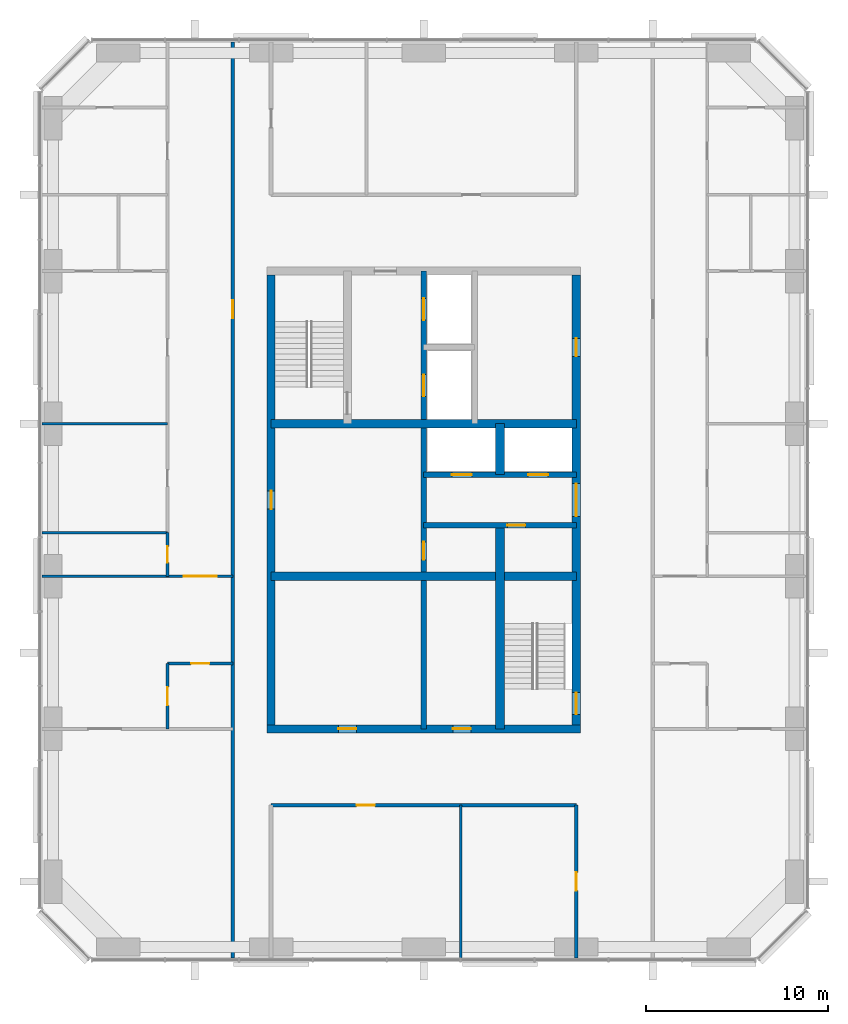
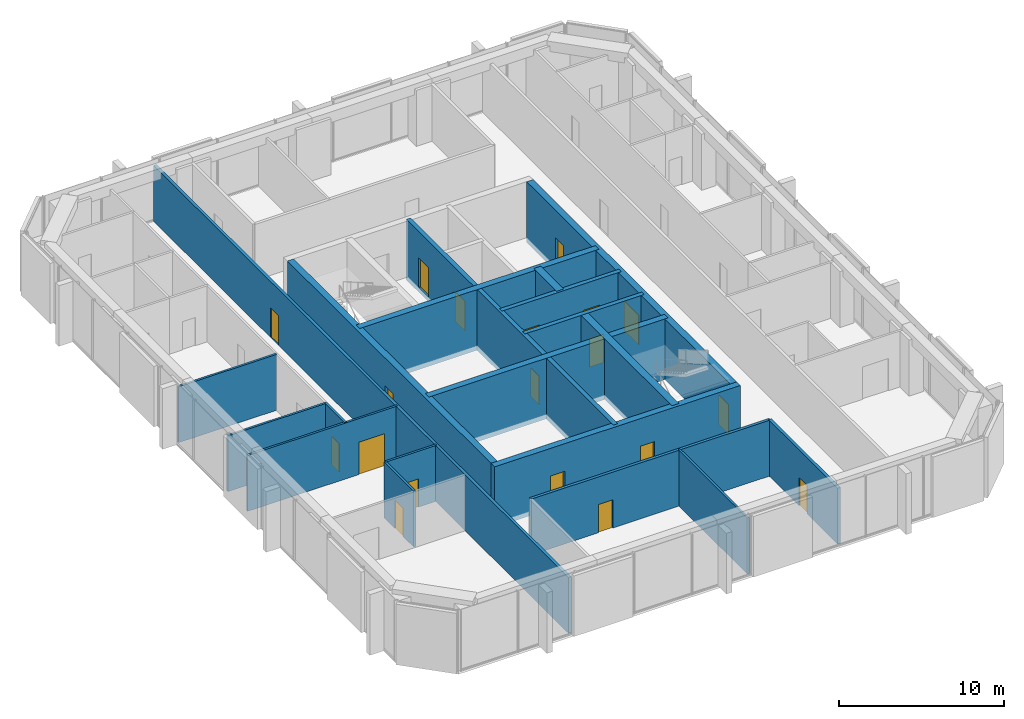
# One storey, part 7 of 10: 20 walls, 19 doors, 19 openings.
"""IFC4 building model written with IfcOpenShell, lengths in metres."""

from ifc_helpers import new_model, si_unit, direction, frame, frame_2d, origin, place, context, subcontext, project, spatial, rectangle, extrude, material, layer, layer_set, type_object, element, fill, save


model = new_model("IFC4")

# Units and contexts
model_context = context("Model", 3, precision=1e-05, world=origin(), true_north=direction((0.0, 1.0)))
body_context = subcontext(model_context, "Body", "Model", "MODEL_VIEW")
ifc_project = project(units=[si_unit("LENGTHUNIT", "METRE"), si_unit("AREAUNIT", "SQUARE_METRE"), si_unit("VOLUMEUNIT", "CUBIC_METRE"), si_unit("PLANEANGLEUNIT", "RADIAN"), si_unit("MASSUNIT", "GRAM", prefix="KILO")], contexts=[model_context])

# Site, building, storey
site_placement = place(None, origin())
site = spatial("IfcSite", under=ifc_project, at=site_placement, CompositionType="ELEMENT")
building_placement = place(site_placement, origin())
building = spatial("IfcBuilding", under=site, at=building_placement, Name="Dunama Terrace Hotel", CompositionType="ELEMENT")
storey_placement = place(building_placement, frame((0.0, 0.0, 289.10009765625)))
storey = spatial("IfcBuildingStorey", under=building, at=storey_placement, Name="L74", CompositionType="ELEMENT", Elevation=289.10009765625)

# Wall, opening, door
ifc_material_1 = material(Name="Gypsum board partition", Category="masonry")
ifc_layer_1 = layer(ifc_material_1, 0.14990234375)
ifc_layer_set_1 = layer_set([ifc_layer_1], Name="Bathroom partition 150")
wall_type_1 = type_object("IfcWallType", Name="Bathroom partition 150", PredefinedType="PARTITIONING", material=ifc_layer_set_1)
wall_1_placement = place(storey_placement, frame((19.5, 25.199951171875, 0.0), z_axis=(0.0, 0.0, 1.0), x_axis=(0.0, 1.0, 0.0)))
wall_1 = element("IfcWall", 1, at=wall_1_placement, inside=storey, type_object=wall_type_1, Name="Bathroom partition 150 L74", PredefinedType="PARTITIONING", context=body_context, shape_type="SweptSolid", body=[
    extrude(rectangle(XDim=2.400146484375, YDim=0.14990234375, at=frame_2d((1.2001953125, 0.0))), origin(), (0.0, 0.0, 1.0), 4.14990234375),
])
opening_1_placement = place(wall_1_placement, frame((0.75, 0.0, 0.0)))
opening_1 = element("IfcOpeningElement", 2, at=opening_1_placement, cuts=wall_1, Name="Opening L74-020", PredefinedType="OPENING", context=body_context, shape_type="SweptSolid", body=[
    extrude(rectangle(XDim=0.89990234375, YDim=2.10009765625, at=frame_2d((0.449951171875, 1.050048828125))), frame((0.0, 0.0849609375, 0.0), z_axis=(0.0, -1.0, 0.0), x_axis=(1.0, 0.0, 0.0)), (0.0, 0.0, 1.0), 0.169921875),
])
ifc_material_2 = material(Name="Timber door with steel frame", Category="steel")
door_type_1 = type_object("IfcDoorType", Name="WC door 900", OperationType="SINGLE_SWING_LEFT", PredefinedType="DOOR", material=ifc_material_2)
door_1_placement = place(opening_1_placement, origin())
door_1 = element("IfcDoor", 3, at=door_1_placement, inside=storey, type_object=door_type_1, Name="Door to royal suite powder room L74-020, type D6", OperationType="SINGLE_SWING_LEFT", OverallHeight=2.10009765625, OverallWidth=0.89990234375, PredefinedType="DOOR", context=body_context, shape_type="SweptSolid", body=[
    extrude(rectangle(XDim=0.89990234375, YDim=2.10009765625, at=frame_2d((0.449951171875, 1.050048828125))), frame((0.0, 0.02490234375, 0.0), z_axis=(0.0, -1.0, 0.0), x_axis=(1.0, 0.0, 0.0)), (0.0, 0.0, 1.0), 0.050048828125),
])
fill(opening_1, door_1)

# Wall, openings, doors
ifc_material_3 = material(Name="Concrete C50/60", Category="concrete")
ifc_layer_2 = layer(ifc_material_3, 0.300048828125)
ifc_layer_set_2 = layer_set([ifc_layer_2], Name="Core inner wall 300")
wall_type_2 = type_object("IfcWallType", Name="Core inner wall 300", PredefinedType="SHEAR", material=ifc_layer_set_2)
wall_2_placement = place(storey_placement, frame((33.60009765625, 16.800048828125, -0.35009765625), z_axis=(0.0, 0.0, 1.0), x_axis=(0.0, 1.0, 0.0)))
wall_2 = element("IfcWall", 4, at=wall_2_placement, inside=storey, type_object=wall_type_2, Name="Core inner wall 300 L74", PredefinedType="SHEAR", context=body_context, shape_type="SweptSolid", body=[
    extrude(rectangle(XDim=25.199951171875, YDim=0.300048828125, at=frame_2d((12.60009765625, 0.0))), origin(), (0.0, 0.0, 1.0), 4.5),
])
opening_2_placement = place(wall_2_placement, frame((22.5, 0.0, 0.35009765625)))
opening_2 = element("IfcOpeningElement", 5, at=opening_2_placement, cuts=wall_2, Name="Opening L74-005", PredefinedType="OPENING", context=body_context, shape_type="SweptSolid", body=[
    extrude(rectangle(XDim=1.199951171875, YDim=2.199951171875, at=frame_2d((0.60009765625, 1.10009765625))), frame((0.0, 0.159912109375, 0.0), z_axis=(0.0, -1.0, 0.0), x_axis=(1.0, 0.0, 0.0)), (0.0, 0.0, 1.0), 0.320068359375),
])
opening_3_placement = place(wall_2_placement, frame((18.300048828125, 0.0, 0.35009765625)))
opening_3 = element("IfcOpeningElement", 6, at=opening_3_placement, cuts=wall_2, Name="Opening L74-006", PredefinedType="OPENING", context=body_context, shape_type="SweptSolid", body=[
    extrude(rectangle(XDim=1.199951171875, YDim=2.199951171875, at=frame_2d((0.60009765625, 1.10009765625))), frame((0.0, 0.159912109375, 0.0), z_axis=(0.0, -1.0, 0.0), x_axis=(1.0, 0.0, 0.0)), (0.0, 0.0, 1.0), 0.320068359375),
])
opening_4_placement = place(wall_2_placement, frame((9.300048828125, 0.0, 0.35009765625)))
opening_4 = element("IfcOpeningElement", 7, at=opening_4_placement, cuts=wall_2, Name="Opening L74-008", PredefinedType="OPENING", context=body_context, shape_type="SweptSolid", body=[
    extrude(rectangle(XDim=1.0, YDim=2.10009765625, at=frame_2d((0.5, 1.050048828125))), frame((0.0, 0.159912109375, 0.0), z_axis=(0.0, -1.0, 0.0), x_axis=(1.0, 0.0, 0.0)), (0.0, 0.0, 1.0), 0.320068359375),
])
ifc_material_4 = material(Name="Stainless steel lift door", Category="steel")
door_type_2 = type_object("IfcDoorType", Name="Firefighting lift landing door 1200", OperationType="DOUBLE_DOOR_SLIDING", PredefinedType="DOOR", material=ifc_material_4)
door_2_placement = place(opening_2_placement, origin())
door_2 = element("IfcDoor", 8, at=door_2_placement, inside=storey, type_object=door_type_2, Name="Landing door FL1 L74-005, type LD2", OperationType="DOUBLE_DOOR_SLIDING", OverallHeight=2.199951171875, OverallWidth=1.199951171875, PredefinedType="DOOR", context=body_context, shape_type="SweptSolid", body=[
    extrude(rectangle(XDim=1.199951171875, YDim=2.199951171875, at=frame_2d((0.60009765625, 1.10009765625))), frame((0.0, 0.02490234375, 0.0), z_axis=(0.0, -1.0, 0.0), x_axis=(1.0, 0.0, 0.0)), (0.0, 0.0, 1.0), 0.050048828125),
])
fill(opening_2, door_2)
door_3_placement = place(opening_3_placement, origin())
door_3 = element("IfcDoor", 9, at=door_3_placement, inside=storey, type_object=door_type_2, Name="Landing door FL2 L74-006, type LD2", OperationType="DOUBLE_DOOR_SLIDING", OverallHeight=2.199951171875, OverallWidth=1.199951171875, PredefinedType="DOOR", context=body_context, shape_type="SweptSolid", body=[
    extrude(rectangle(XDim=1.199951171875, YDim=2.199951171875, at=frame_2d((0.60009765625, 1.10009765625))), frame((0.0, 0.02490234375, 0.0), z_axis=(0.0, -1.0, 0.0), x_axis=(1.0, 0.0, 0.0)), (0.0, 0.0, 1.0), 0.050048828125),
])
fill(opening_3, door_3)
ifc_material_5 = material(Name="Timber door with steel frame", Category="steel")
door_type_3 = type_object("IfcDoorType", Name="Service door 1000", OperationType="SINGLE_SWING_LEFT", PredefinedType="DOOR", material=ifc_material_5)
door_4_placement = place(opening_4_placement, frame((1.0, 0.0, 0.0), z_axis=(0.0, 0.0, 1.0), x_axis=(-1.0, 0.0, 0.0)))
door_4 = element("IfcDoor", 10, at=door_4_placement, inside=storey, type_object=door_type_3, Name="Door to service riser L74-008, type D7", OperationType="SINGLE_SWING_RIGHT", OverallHeight=2.10009765625, OverallWidth=1.0, PredefinedType="DOOR", context=body_context, shape_type="SweptSolid", body=[
    extrude(rectangle(XDim=1.0, YDim=2.10009765625, at=frame_2d((0.5, 1.050048828125))), frame((0.0, 0.025146484375, 0.0), z_axis=(0.0, -1.0, 0.0), x_axis=(1.0, 0.0, 0.0)), (0.0, 0.0, 1.0), 0.050048828125),
])
fill(opening_4, door_4)

# Wall, opening, door
wall_3_placement = place(storey_placement, frame((33.60009765625, 28.0, -0.35009765625), z_axis=(0.0, 0.0, 1.0), x_axis=(1.0, 0.0, 0.0)))
wall_3 = element("IfcWall", 11, at=wall_3_placement, inside=storey, type_object=wall_type_2, Name="Core inner wall 300 L74", PredefinedType="SHEAR", context=body_context, shape_type="SweptSolid", body=[
    extrude(rectangle(XDim=8.39990234375, YDim=0.300048828125, at=frame_2d((4.199951171875, 0.0))), origin(), (0.0, 0.0, 1.0), 4.5),
])
opening_5_placement = place(wall_3_placement, frame((4.60009765625, 0.0, 0.35009765625)))
opening_5 = element("IfcOpeningElement", 12, at=opening_5_placement, cuts=wall_3, Name="Opening L74-009", PredefinedType="OPENING", context=body_context, shape_type="SweptSolid", body=[
    extrude(rectangle(XDim=1.0, YDim=2.10009765625, at=frame_2d((0.5, 1.050048828125))), frame((0.0, 0.159912109375, 0.0), z_axis=(0.0, -1.0, 0.0), x_axis=(1.0, 0.0, 0.0)), (0.0, 0.0, 1.0), 0.320068359375),
])
door_5_placement = place(opening_5_placement, frame((1.0, 0.0, 0.0), z_axis=(0.0, 0.0, 1.0), x_axis=(-1.0, 0.0, 0.0)))
door_5 = element("IfcDoor", 13, at=door_5_placement, inside=storey, type_object=door_type_3, Name="Door to guest cloakroom L74-009, type D7", OperationType="SINGLE_SWING_RIGHT", OverallHeight=2.10009765625, OverallWidth=1.0, PredefinedType="DOOR", context=body_context, shape_type="SweptSolid", body=[
    extrude(rectangle(XDim=1.0, YDim=2.10009765625, at=frame_2d((0.5, 1.050048828125))), frame((0.0, 0.025146484375, 0.0), z_axis=(0.0, -1.0, 0.0), x_axis=(1.0, 0.0, 0.0)), (0.0, 0.0, 1.0), 0.050048828125),
])
fill(opening_5, door_5)

# Wall, openings, doors
wall_4_placement = place(storey_placement, frame((33.60009765625, 30.800048828125, -0.35009765625), z_axis=(0.0, 0.0, 1.0), x_axis=(1.0, 0.0, 0.0)))
wall_4 = element("IfcWall", 14, at=wall_4_placement, inside=storey, type_object=wall_type_2, Name="Core inner wall 300 L74", PredefinedType="SHEAR", context=body_context, shape_type="SweptSolid", body=[
    extrude(rectangle(XDim=8.39990234375, YDim=0.300048828125, at=frame_2d((4.199951171875, 0.0))), origin(), (0.0, 0.0, 1.0), 4.5),
])
opening_6_placement = place(wall_4_placement, frame((1.550048828125, 0.0, 0.35009765625)))
opening_6 = element("IfcOpeningElement", 15, at=opening_6_placement, cuts=wall_4, Name="Opening L74-003", PredefinedType="OPENING", context=body_context, shape_type="SweptSolid", body=[
    extrude(rectangle(XDim=1.10009765625, YDim=2.199951171875, at=frame_2d((0.550048828125, 1.10009765625))), frame((0.0, 0.159912109375, 0.0), z_axis=(0.0, -1.0, 0.0), x_axis=(1.0, 0.0, 0.0)), (0.0, 0.0, 1.0), 0.320068359375),
])
opening_7_placement = place(wall_4_placement, frame((5.75, 0.0, 0.35009765625)))
opening_7 = element("IfcOpeningElement", 16, at=opening_7_placement, cuts=wall_4, Name="Opening L74-004", PredefinedType="OPENING", context=body_context, shape_type="SweptSolid", body=[
    extrude(rectangle(XDim=1.10009765625, YDim=2.199951171875, at=frame_2d((0.550048828125, 1.10009765625))), frame((0.0, 0.159912109375, 0.0), z_axis=(0.0, -1.0, 0.0), x_axis=(1.0, 0.0, 0.0)), (0.0, 0.0, 1.0), 0.320068359375),
])
ifc_material_6 = material(Name="Stainless steel lift door", Category="steel")
door_type_4 = type_object("IfcDoorType", Name="Lift landing door 1100", OperationType="DOUBLE_DOOR_SLIDING", PredefinedType="DOOR", material=ifc_material_6)
door_6_placement = place(opening_6_placement, origin())
door_6 = element("IfcDoor", 17, at=door_6_placement, inside=storey, type_object=door_type_4, Name="Landing door PD1 L74-003, type LD1", OperationType="DOUBLE_DOOR_SLIDING", OverallHeight=2.199951171875, OverallWidth=1.10009765625, PredefinedType="DOOR", context=body_context, shape_type="SweptSolid", body=[
    extrude(rectangle(XDim=1.10009765625, YDim=2.199951171875, at=frame_2d((0.550048828125, 1.10009765625))), frame((0.0, 0.02490234375, 0.0), z_axis=(0.0, -1.0, 0.0), x_axis=(1.0, 0.0, 0.0)), (0.0, 0.0, 1.0), 0.050048828125),
])
fill(opening_6, door_6)
door_7_placement = place(opening_7_placement, origin())
door_7 = element("IfcDoor", 18, at=door_7_placement, inside=storey, type_object=door_type_4, Name="Landing door PD2 L74-004, type LD1", OperationType="DOUBLE_DOOR_SLIDING", OverallHeight=2.199951171875, OverallWidth=1.10009765625, PredefinedType="DOOR", context=body_context, shape_type="SweptSolid", body=[
    extrude(rectangle(XDim=1.10009765625, YDim=2.199951171875, at=frame_2d((0.550048828125, 1.10009765625))), frame((0.0, 0.02490234375, 0.0), z_axis=(0.0, -1.0, 0.0), x_axis=(1.0, 0.0, 0.0)), (0.0, 0.0, 1.0), 0.050048828125),
])
fill(opening_7, door_7)

# Walls
ifc_material_7 = material(Name="Concrete C50/60", Category="concrete")
ifc_layer_3 = layer(ifc_material_7, 0.449951171875)
ifc_layer_set_3 = layer_set([ifc_layer_3], Name="Core inner wall 450")
wall_type_3 = type_object("IfcWallType", Name="Core inner wall 450", PredefinedType="SHEAR", material=ifc_layer_set_3)
for number, where, z_axis, x_axis, name in (
    (19, (25.199951171875, 25.199951171875, -0.35009765625), (0.0, 0.0, 1.0), (1.0, 0.0, 0.0), "Core inner wall 450 L74"),
    (20, (25.199951171875, 33.60009765625, -0.35009765625), (0.0, 0.0, 1.0), (1.0, 0.0, 0.0), "Core inner wall 450 L74"),
):
    element("IfcWall", number, at=place(storey_placement, frame(where, z_axis=z_axis, x_axis=x_axis)), inside=storey, type_object=wall_type_3, Name=name, PredefinedType="SHEAR", context=body_context, shape_type="SweptSolid", body=[
        extrude(rectangle(XDim=16.800048828125, YDim=0.449951171875, at=frame_2d((8.39990234375, 0.0))), origin(), (0.0, 0.0, 1.0), 4.5),
    ])
ifc_material_8 = material(Name="Concrete C50/60", Category="concrete")
ifc_layer_4 = layer(ifc_material_8, 0.5)
ifc_layer_set_4 = layer_set([ifc_layer_4], Name="Core inner wall 500")
wall_type_4 = type_object("IfcWallType", Name="Core inner wall 500", PredefinedType="SHEAR", material=ifc_layer_set_4)
wall_5_placement = place(storey_placement, frame((37.800048828125, 16.800048828125, -0.35009765625), z_axis=(0.0, 0.0, 1.0), x_axis=(0.0, 1.0, 0.0)))
element("IfcWall", 21, at=wall_5_placement, inside=storey, type_object=wall_type_4, Name="Core inner wall 500 L74", PredefinedType="SHEAR", context=body_context, shape_type="SweptSolid", body=[
    extrude(rectangle(XDim=11.199951171875, YDim=0.5, at=frame_2d((5.60009765625, 0.0))), origin(), (0.0, 0.0, 1.0), 4.5),
])
wall_6_placement = place(storey_placement, frame((37.800048828125, 30.800048828125, -0.35009765625), z_axis=(0.0, 0.0, 1.0), x_axis=(0.0, 1.0, 0.0)))
element("IfcWall", 22, at=wall_6_placement, inside=storey, type_object=wall_type_4, Name="Core inner wall 500 L74", PredefinedType="SHEAR", context=body_context, shape_type="SweptSolid", body=[
    extrude(rectangle(XDim=2.800048828125, YDim=0.5, at=frame_2d((1.39990234375, 0.0))), origin(), (0.0, 0.0, 1.0), 4.5),
])

# Wall, openings, doors
ifc_material_9 = material(Name="Concrete C50/60", Category="concrete")
ifc_layer_5 = layer(ifc_material_9, 0.449951171875)
ifc_layer_set_5 = layer_set([ifc_layer_5], Name="Core wall 450")
wall_type_5 = type_object("IfcWallType", Name="Core wall 450", PredefinedType="SHEAR", material=ifc_layer_set_5)
wall_7_placement = place(storey_placement, frame((24.97509765625, 16.800048828125, -0.35009765625), z_axis=(0.0, 0.0, 1.0), x_axis=(1.0, 0.0, 0.0)))
wall_7 = element("IfcWall", 23, at=wall_7_placement, inside=storey, type_object=wall_type_5, Name="Core wall south L74", PredefinedType="SHEAR", context=body_context, shape_type="SweptSolid", body=[
    extrude(rectangle(XDim=17.25, YDim=0.449951171875, at=frame_2d((8.625, 0.0))), origin(), (0.0, 0.0, 1.0), 4.5),
])
opening_8_placement = place(wall_7_placement, frame((3.925048828125, 0.0, 0.35009765625)))
opening_8 = element("IfcOpeningElement", 24, at=opening_8_placement, cuts=wall_7, Name="Opening L74-013", PredefinedType="OPENING", context=body_context, shape_type="SweptSolid", body=[
    extrude(rectangle(XDim=1.0, YDim=2.10009765625, at=frame_2d((0.5, 1.050048828125))), frame((0.0, 0.23486328125, 0.0), z_axis=(0.0, -1.0, 0.0), x_axis=(1.0, 0.0, 0.0)), (0.0, 0.0, 1.0), 0.469970703125),
])
opening_9_placement = place(wall_7_placement, frame((10.22509765625, 0.0, 0.35009765625)))
opening_9 = element("IfcOpeningElement", 25, at=opening_9_placement, cuts=wall_7, Name="Opening L74-014", PredefinedType="OPENING", context=body_context, shape_type="SweptSolid", body=[
    extrude(rectangle(XDim=1.0, YDim=2.10009765625, at=frame_2d((0.5, 1.050048828125))), frame((0.0, 0.23486328125, 0.0), z_axis=(0.0, -1.0, 0.0), x_axis=(1.0, 0.0, 0.0)), (0.0, 0.0, 1.0), 0.469970703125),
])
door_8_placement = place(opening_8_placement, origin())
door_8 = element("IfcDoor", 26, at=door_8_placement, inside=storey, type_object=door_type_3, Name="Door to floor air handling room L74-013, type D7", OperationType="SINGLE_SWING_LEFT", OverallHeight=2.10009765625, OverallWidth=1.0, PredefinedType="DOOR", context=body_context, shape_type="SweptSolid", body=[
    extrude(rectangle(XDim=1.0, YDim=2.10009765625, at=frame_2d((0.5, 1.050048828125))), frame((0.0, 0.02490234375, 0.0), z_axis=(0.0, -1.0, 0.0), x_axis=(1.0, 0.0, 0.0)), (0.0, 0.0, 1.0), 0.050048828125),
])
fill(opening_8, door_8)
door_9_placement = place(opening_9_placement, origin())
door_9 = element("IfcDoor", 27, at=door_9_placement, inside=storey, type_object=door_type_3, Name="Door to water riser room L74-014, type D7", OperationType="SINGLE_SWING_RIGHT", OverallHeight=2.10009765625, OverallWidth=1.0, PredefinedType="DOOR", context=body_context, shape_type="SweptSolid", body=[
    extrude(rectangle(XDim=1.0, YDim=2.10009765625, at=frame_2d((0.5, 1.050048828125))), frame((0.0, 0.02490234375, 0.0), z_axis=(0.0, -1.0, 0.0), x_axis=(1.0, 0.0, 0.0)), (0.0, 0.0, 1.0), 0.050048828125),
])
fill(opening_9, door_9)

wall_8_placement = place(storey_placement, frame((42.0, 17.02490234375, -0.35009765625), z_axis=(0.0, 0.0, 1.0), x_axis=(0.0, 1.0, 0.0)))
wall_8 = element("IfcWall", 28, at=wall_8_placement, inside=storey, type_object=wall_type_5, Name="Core wall east L74", PredefinedType="SHEAR", context=body_context, shape_type="SweptSolid", body=[
    extrude(rectangle(XDim=24.75, YDim=0.449951171875, at=frame_2d((12.375, 0.0))), origin(), (0.0, 0.0, 1.0), 4.5),
])
opening_10_placement = place(wall_8_placement, frame((0.574951171875, 0.0, 0.35009765625)))
opening_10 = element("IfcOpeningElement", 29, at=opening_10_placement, cuts=wall_8, Name="Opening L74-002", PredefinedType="OPENING", context=body_context, shape_type="SweptSolid", body=[
    extrude(rectangle(XDim=1.199951171875, YDim=2.199951171875, at=frame_2d((0.60009765625, 1.10009765625))), frame((0.0, 0.23486328125, 0.0), z_axis=(0.0, -1.0, 0.0), x_axis=(1.0, 0.0, 0.0)), (0.0, 0.0, 1.0), 0.469970703125),
])
opening_11_placement = place(wall_8_placement, frame((11.47509765625, 0.0, 0.35009765625)))
opening_11 = element("IfcOpeningElement", 30, at=opening_11_placement, cuts=wall_8, Name="Opening L74-010", PredefinedType="OPENING", context=body_context, shape_type="SweptSolid", body=[
    extrude(rectangle(XDim=1.800048828125, YDim=2.199951171875, at=frame_2d((0.89990234375, 1.10009765625))), frame((0.0, 0.23486328125, 0.0), z_axis=(0.0, -1.0, 0.0), x_axis=(1.0, 0.0, 0.0)), (0.0, 0.0, 1.0), 0.469970703125),
])
opening_12_placement = place(wall_8_placement, frame((20.27490234375, 0.0, 0.35009765625)))
opening_12 = element("IfcOpeningElement", 31, at=opening_12_placement, cuts=wall_8, Name="Opening L74-012", PredefinedType="OPENING", context=body_context, shape_type="SweptSolid", body=[
    extrude(rectangle(XDim=1.0, YDim=2.10009765625, at=frame_2d((0.5, 1.050048828125))), frame((0.0, 0.23486328125, 0.0), z_axis=(0.0, -1.0, 0.0), x_axis=(1.0, 0.0, 0.0)), (0.0, 0.0, 1.0), 0.469970703125),
])
ifc_material_10 = material(Name="Timber door with steel frame", Category="steel")
door_type_5 = type_object("IfcDoorType", Name="Lift lobby double door 1800", OperationType="DOUBLE_DOOR_DOUBLE_SWING", PredefinedType="DOOR", material=ifc_material_10)
door_10_placement = place(opening_11_placement, origin())
door_10 = element("IfcDoor", 32, at=door_10_placement, inside=storey, type_object=door_type_5, Name="Door to lift lobby L74-010, type D3", OperationType="DOUBLE_DOOR_DOUBLE_SWING", OverallHeight=2.199951171875, OverallWidth=1.800048828125, PredefinedType="DOOR", context=body_context, shape_type="SweptSolid", body=[
    extrude(rectangle(XDim=1.800048828125, YDim=2.199951171875, at=frame_2d((0.89990234375, 1.10009765625))), frame((0.0, 0.02490234375, 0.0), z_axis=(0.0, -1.0, 0.0), x_axis=(1.0, 0.0, 0.0)), (0.0, 0.0, 1.0), 0.050048828125),
])
fill(opening_11, door_10)
door_11_placement = place(opening_12_placement, origin())
door_11 = element("IfcDoor", 33, at=door_11_placement, inside=storey, type_object=door_type_3, Name="Door to royal suite linen store L74-012, type D7", OperationType="SINGLE_SWING_LEFT", OverallHeight=2.10009765625, OverallWidth=1.0, PredefinedType="DOOR", context=body_context, shape_type="SweptSolid", body=[
    extrude(rectangle(XDim=1.0, YDim=2.10009765625, at=frame_2d((0.5, 1.050048828125))), frame((0.0, 0.02490234375, 0.0), z_axis=(0.0, -1.0, 0.0), x_axis=(1.0, 0.0, 0.0)), (0.0, 0.0, 1.0), 0.050048828125),
])
fill(opening_12, door_11)
ifc_material_11 = material(Name="Timber door with steel frame", Category="steel")
door_type_6 = type_object("IfcDoorType", Name="Stair door 1200", OperationType="SINGLE_SWING_LEFT", PredefinedType="DOOR", material=ifc_material_11)
door_12_placement = place(opening_10_placement, origin())
door_12 = element("IfcDoor", 34, at=door_12_placement, inside=storey, type_object=door_type_6, Name="Stair door ST2 L74-002, type D5", OperationType="SINGLE_SWING_LEFT", OverallHeight=2.199951171875, OverallWidth=1.199951171875, PredefinedType="DOOR", context=body_context, shape_type="SweptSolid", body=[
    extrude(rectangle(XDim=1.199951171875, YDim=2.199951171875, at=frame_2d((0.60009765625, 1.10009765625))), frame((0.0, 0.02490234375, 0.0), z_axis=(0.0, -1.0, 0.0), x_axis=(1.0, 0.0, 0.0)), (0.0, 0.0, 1.0), 0.050048828125),
])
fill(opening_10, door_12)

# Wall, opening, door
wall_9_placement = place(storey_placement, frame((25.199951171875, 41.77490234375, -0.35009765625), z_axis=(0.0, 0.0, 1.0), x_axis=(0.0, -1.0, 0.0)))
wall_9 = element("IfcWall", 35, at=wall_9_placement, inside=storey, type_object=wall_type_5, Name="Core wall west L74", PredefinedType="SHEAR", context=body_context, shape_type="SweptSolid", body=[
    extrude(rectangle(XDim=24.75, YDim=0.449951171875, at=frame_2d((12.375, 0.0))), origin(), (0.0, 0.0, 1.0), 4.5),
])
opening_13_placement = place(wall_9_placement, frame((11.875, 0.0, 0.35009765625)))
opening_13 = element("IfcOpeningElement", 36, at=opening_13_placement, cuts=wall_9, Name="Opening L74-007", PredefinedType="OPENING", context=body_context, shape_type="SweptSolid", body=[
    extrude(rectangle(XDim=1.0, YDim=2.10009765625, at=frame_2d((0.5, 1.050048828125))), frame((0.0, 0.23486328125, 0.0), z_axis=(0.0, -1.0, 0.0), x_axis=(1.0, 0.0, 0.0)), (0.0, 0.0, 1.0), 0.469970703125),
])
door_13_placement = place(opening_13_placement, origin())
door_13 = element("IfcDoor", 37, at=door_13_placement, inside=storey, type_object=door_type_3, Name="Door to riser room L74-007, type D7", OperationType="SINGLE_SWING_LEFT", OverallHeight=2.10009765625, OverallWidth=1.0, PredefinedType="DOOR", context=body_context, shape_type="SweptSolid", body=[
    extrude(rectangle(XDim=1.0, YDim=2.10009765625, at=frame_2d((0.5, 1.050048828125))), frame((0.0, 0.02490234375, 0.0), z_axis=(0.0, -1.0, 0.0), x_axis=(1.0, 0.0, 0.0)), (0.0, 0.0, 1.0), 0.050048828125),
])
fill(opening_13, door_13)

ifc_material_12 = material(Name="Concrete blockwork", Category="masonry")
ifc_layer_6 = layer(ifc_material_12, 0.199951171875)
ifc_layer_set_6 = layer_set([ifc_layer_6], Name="Corridor partition 200")
wall_type_6 = type_object("IfcWallType", Name="Corridor partition 200", PredefinedType="PARTITIONING", material=ifc_layer_set_6)
wall_10_placement = place(storey_placement, frame((23.10009765625, 4.181884765625, 0.0), z_axis=(0.0, 0.0, 1.0), x_axis=(0.0, 1.0, 0.0)))
wall_10 = element("IfcWall", 38, at=wall_10_placement, inside=storey, type_object=wall_type_6, Name="Corridor partition 200 L74", PredefinedType="PARTITIONING", context=body_context, shape_type="SweptSolid", body=[
    extrude(rectangle(XDim=50.43603515625, YDim=0.199951171875, at=frame_2d((25.218017578125, 0.0))), origin(), (0.0, 0.0, 1.0), 4.14990234375),
])
opening_14_placement = place(wall_10_placement, frame((35.218017578125, 0.0, 0.0)))
opening_14 = element("IfcOpeningElement", 39, at=opening_14_placement, cuts=wall_10, Name="Opening L74-015", PredefinedType="OPENING", context=body_context, shape_type="SweptSolid", body=[
    extrude(rectangle(XDim=1.0, YDim=2.199951171875, at=frame_2d((0.5, 1.10009765625))), frame((0.0, 0.10986328125, 0.0), z_axis=(0.0, -1.0, 0.0), x_axis=(1.0, 0.0, 0.0)), (0.0, 0.0, 1.0), 0.219970703125),
])
ifc_material_13 = material(Name="Timber door with steel frame", Category="steel")
door_type_7 = type_object("IfcDoorType", Name="Guest room door 1000", OperationType="SINGLE_SWING_LEFT", PredefinedType="DOOR", material=ifc_material_13)
door_14_placement = place(opening_14_placement, origin())
door_14 = element("IfcDoor", 40, at=door_14_placement, inside=storey, type_object=door_type_7, Name="Door to royal suite foyer and gallery L74-015, type D1", OperationType="SINGLE_SWING_LEFT", OverallHeight=2.199951171875, OverallWidth=1.0, PredefinedType="DOOR", context=body_context, shape_type="SweptSolid", body=[
    extrude(rectangle(XDim=1.0, YDim=2.199951171875, at=frame_2d((0.5, 1.10009765625))), frame((0.0, 0.02490234375, 0.0), z_axis=(0.0, -1.0, 0.0), x_axis=(1.0, 0.0, 0.0)), (0.0, 0.0, 1.0), 0.050048828125),
])
fill(opening_14, door_14)

wall_11_placement = place(storey_placement, frame((42.0, 4.181884765625, 0.0), z_axis=(0.0, 0.0, 1.0), x_axis=(0.0, 1.0, 0.0)))
wall_11 = element("IfcWall", 41, at=wall_11_placement, inside=storey, type_object=wall_type_6, Name="Corridor partition 200 L74", PredefinedType="PARTITIONING", context=body_context, shape_type="SweptSolid", body=[
    extrude(rectangle(XDim=8.418212890625, YDim=0.199951171875, at=frame_2d((4.208984375, 0.0))), origin(), (0.0, 0.0, 1.0), 4.14990234375),
])
opening_15_placement = place(wall_11_placement, frame((3.718017578125, 0.0, 0.0)))
opening_15 = element("IfcOpeningElement", 42, at=opening_15_placement, cuts=wall_11, Name="Opening L74-040", PredefinedType="OPENING", context=body_context, shape_type="SweptSolid", body=[
    extrude(rectangle(XDim=1.0, YDim=2.10009765625, at=frame_2d((0.5, 1.050048828125))), frame((0.0, 0.10986328125, 0.0), z_axis=(0.0, -1.0, 0.0), x_axis=(1.0, 0.0, 0.0)), (0.0, 0.0, 1.0), 0.219970703125),
])
door_15_placement = place(opening_15_placement, origin())
door_15 = element("IfcDoor", 43, at=door_15_placement, inside=storey, type_object=door_type_3, Name="Door to butler linen store L74-040, type D7", OperationType="SINGLE_SWING_LEFT", OverallHeight=2.10009765625, OverallWidth=1.0, PredefinedType="DOOR", context=body_context, shape_type="SweptSolid", body=[
    extrude(rectangle(XDim=1.0, YDim=2.10009765625, at=frame_2d((0.5, 1.050048828125))), frame((0.0, 0.02490234375, 0.0), z_axis=(0.0, -1.0, 0.0), x_axis=(1.0, 0.0, 0.0)), (0.0, 0.0, 1.0), 0.050048828125),
])
fill(opening_15, door_15)

wall_12_placement = place(storey_placement, frame((25.199951171875, 12.60009765625, 0.0), z_axis=(0.0, 0.0, 1.0), x_axis=(1.0, 0.0, 0.0)))
wall_12 = element("IfcWall", 44, at=wall_12_placement, inside=storey, type_object=wall_type_6, Name="Corridor partition 200 L74", PredefinedType="PARTITIONING", context=body_context, shape_type="SweptSolid", body=[
    extrude(rectangle(XDim=16.800048828125, YDim=0.199951171875, at=frame_2d((8.39990234375, 0.0))), origin(), (0.0, 0.0, 1.0), 4.14990234375),
])
opening_16_placement = place(wall_12_placement, frame((4.716064453125, 0.0, 0.0)))
opening_16 = element("IfcOpeningElement", 45, at=opening_16_placement, cuts=wall_12, Name="Opening L74-039", PredefinedType="OPENING", context=body_context, shape_type="SweptSolid", body=[
    extrude(rectangle(XDim=1.0, YDim=2.10009765625, at=frame_2d((0.5, 1.050048828125))), frame((0.0, 0.10986328125, 0.0), z_axis=(0.0, -1.0, 0.0), x_axis=(1.0, 0.0, 0.0)), (0.0, 0.0, 1.0), 0.219970703125),
])
door_16_placement = place(opening_16_placement, frame((1.0, 0.0, 0.0), z_axis=(0.0, 0.0, 1.0), x_axis=(-1.0, 0.0, 0.0)))
door_16 = element("IfcDoor", 46, at=door_16_placement, inside=storey, type_object=door_type_3, Name="Door to butler pantry kitchen L74-039, type D7", OperationType="SINGLE_SWING_RIGHT", OverallHeight=2.10009765625, OverallWidth=1.0, PredefinedType="DOOR", context=body_context, shape_type="SweptSolid", body=[
    extrude(rectangle(XDim=1.0, YDim=2.10009765625, at=frame_2d((0.5, 1.050048828125))), frame((0.0, 0.025146484375, 0.0), z_axis=(0.0, -1.0, 0.0), x_axis=(1.0, 0.0, 0.0)), (0.0, 0.0, 1.0), 0.050048828125),
])
fill(opening_16, door_16)

ifc_material_14 = material(Name="Gypsum board partition", Category="masonry")
ifc_layer_7 = layer(ifc_material_14, 0.14990234375)
ifc_layer_set_7 = layer_set([ifc_layer_7], Name="Room partition 150")
wall_type_7 = type_object("IfcWallType", Name="Room partition 150", PredefinedType="PARTITIONING", material=ifc_layer_set_7)
wall_13_placement = place(storey_placement, frame((19.5, 16.800048828125, 0.0), z_axis=(0.0, 0.0, 1.0), x_axis=(0.0, 1.0, 0.0)))
wall_13 = element("IfcWall", 47, at=wall_13_placement, inside=storey, type_object=wall_type_7, Name="Room partition 150 L74", PredefinedType="PARTITIONING", context=body_context, shape_type="SweptSolid", body=[
    extrude(rectangle(XDim=3.599853515625, YDim=0.14990234375, at=frame_2d((1.7998046875, 0.0))), origin(), (0.0, 0.0, 1.0), 4.14990234375),
])
opening_17_placement = place(wall_13_placement, frame((1.300048828125, 0.0, 0.0)))
opening_17 = element("IfcOpeningElement", 48, at=opening_17_placement, cuts=wall_13, Name="Opening L74-018", PredefinedType="OPENING", context=body_context, shape_type="SweptSolid", body=[
    extrude(rectangle(XDim=1.0, YDim=2.10009765625, at=frame_2d((0.5, 1.050048828125))), frame((0.0, 0.0849609375, 0.0), z_axis=(0.0, -1.0, 0.0), x_axis=(1.0, 0.0, 0.0)), (0.0, 0.0, 1.0), 0.169921875),
])
door_17_placement = place(opening_17_placement, frame((1.0, 0.0, 0.0), z_axis=(0.0, 0.0, 1.0), x_axis=(-1.0, 0.0, 0.0)))
door_17 = element("IfcDoor", 49, at=door_17_placement, inside=storey, type_object=door_type_3, Name="Door to royal suite butler pantry L74-018, type D7", OperationType="SINGLE_SWING_LEFT", OverallHeight=2.10009765625, OverallWidth=1.0, PredefinedType="DOOR", context=body_context, shape_type="SweptSolid", body=[
    extrude(rectangle(XDim=1.0, YDim=2.10009765625, at=frame_2d((0.5, 1.050048828125))), frame((0.0, 0.025146484375, 0.0), z_axis=(0.0, -1.0, 0.0), x_axis=(1.0, 0.0, 0.0)), (0.0, 0.0, 1.0), 0.050048828125),
])
fill(opening_17, door_17)

# Wall
wall_14_placement = place(storey_placement, frame((35.633056640625, 4.199951171875, 0.0), z_axis=(0.0, 0.0, 1.0), x_axis=(0.0, 1.0, 0.0)))
element("IfcWall", 50, at=wall_14_placement, inside=storey, type_object=wall_type_7, Name="Room partition 150 L74", PredefinedType="PARTITIONING", context=body_context, shape_type="SweptSolid", body=[
    extrude(rectangle(XDim=8.400146484375, YDim=0.14990234375, at=frame_2d((4.2001953125, 0.0))), origin(), (0.0, 0.0, 1.0), 4.14990234375),
])

# Wall, opening, door
wall_15_placement = place(storey_placement, frame((19.5, 20.39990234375, 0.0), z_axis=(0.0, 0.0, 1.0), x_axis=(1.0, 0.0, 0.0)))
wall_15 = element("IfcWall", 51, at=wall_15_placement, inside=storey, type_object=wall_type_7, Name="Room partition 150 L74", PredefinedType="PARTITIONING", context=body_context, shape_type="SweptSolid", body=[
    extrude(rectangle(XDim=3.60009765625, YDim=0.14990234375, at=frame_2d((1.800048828125, 0.0))), origin(), (0.0, 0.0, 1.0), 4.14990234375),
])
opening_18_placement = place(wall_15_placement, frame((1.300048828125, 0.0, 0.0)))
opening_18 = element("IfcOpeningElement", 52, at=opening_18_placement, cuts=wall_15, Name="Opening L74-017", PredefinedType="OPENING", context=body_context, shape_type="SweptSolid", body=[
    extrude(rectangle(XDim=1.0, YDim=2.10009765625, at=frame_2d((0.5, 1.050048828125))), frame((0.0, 0.0849609375, 0.0), z_axis=(0.0, -1.0, 0.0), x_axis=(1.0, 0.0, 0.0)), (0.0, 0.0, 1.0), 0.169921875),
])
door_18_placement = place(opening_18_placement, frame((1.0, 0.0, 0.0), z_axis=(0.0, 0.0, 1.0), x_axis=(-1.0, 0.0, 0.0)))
door_18 = element("IfcDoor", 53, at=door_18_placement, inside=storey, type_object=door_type_3, Name="Door to royal suite butler pantry L74-017, type D7", OperationType="SINGLE_SWING_LEFT", OverallHeight=2.10009765625, OverallWidth=1.0, PredefinedType="DOOR", context=body_context, shape_type="SweptSolid", body=[
    extrude(rectangle(XDim=1.0, YDim=2.10009765625, at=frame_2d((0.5, 1.050048828125))), frame((0.0, 0.025146484375, 0.0), z_axis=(0.0, -1.0, 0.0), x_axis=(1.0, 0.0, 0.0)), (0.0, 0.0, 1.0), 0.050048828125),
])
fill(opening_18, door_18)

wall_16_placement = place(storey_placement, frame((12.58203125, 25.199951171875, 0.0), z_axis=(0.0, 0.0, 1.0), x_axis=(1.0, 0.0, 0.0)))
wall_16 = element("IfcWall", 54, at=wall_16_placement, inside=storey, type_object=wall_type_7, Name="Room partition 150 L74", PredefinedType="PARTITIONING", context=body_context, shape_type="SweptSolid", body=[
    extrude(rectangle(XDim=10.51806640625, YDim=0.14990234375, at=frame_2d((5.259033203125, 0.0))), origin(), (0.0, 0.0, 1.0), 4.14990234375),
])
opening_19_placement = place(wall_16_placement, frame((7.818115234375, 0.0, 0.0)))
opening_19 = element("IfcOpeningElement", 55, at=opening_19_placement, cuts=wall_16, Name="Opening L74-019", PredefinedType="OPENING", context=body_context, shape_type="SweptSolid", body=[
    extrude(rectangle(XDim=1.800048828125, YDim=2.39990234375, at=frame_2d((0.89990234375, 1.199951171875))), frame((0.0, 0.0849609375, 0.0), z_axis=(0.0, -1.0, 0.0), x_axis=(1.0, 0.0, 0.0)), (0.0, 0.0, 1.0), 0.169921875),
])
ifc_material_15 = material(Name="Aluminium-framed glazed door", Category="aluminium")
door_type_8 = type_object("IfcDoorType", Name="Glazed double door 1800", OperationType="DOUBLE_DOOR_DOUBLE_SWING", PredefinedType="DOOR", material=ifc_material_15)
door_19_placement = place(opening_19_placement, origin())
door_19 = element("IfcDoor", 56, at=door_19_placement, inside=storey, type_object=door_type_8, Name="Door to royal suite dining room L74-019, type D8", OperationType="DOUBLE_DOOR_DOUBLE_SWING", OverallHeight=2.39990234375, OverallWidth=1.800048828125, PredefinedType="DOOR", context=body_context, shape_type="SweptSolid", body=[
    extrude(rectangle(XDim=1.800048828125, YDim=2.39990234375, at=frame_2d((0.89990234375, 1.199951171875))), frame((0.0, 0.02490234375, 0.0), z_axis=(0.0, -1.0, 0.0), x_axis=(1.0, 0.0, 0.0)), (0.0, 0.0, 1.0), 0.050048828125),
])
fill(opening_19, door_19)

# Walls
for number, where, z_axis, x_axis, name in (
    (57, (12.58203125, 27.60009765625, 0.0), (0.0, 0.0, 1.0), (1.0, 0.0, 0.0), "Room partition 150 L74"),
    (58, (12.58203125, 33.60009765625, 0.0), (0.0, 0.0, 1.0), (1.0, 0.0, 0.0), "Room partition 150 L74"),
):
    element("IfcWall", number, at=place(storey_placement, frame(where, z_axis=z_axis, x_axis=x_axis)), inside=storey, type_object=wall_type_7, Name=name, PredefinedType="PARTITIONING", context=body_context, shape_type="SweptSolid", body=[
        extrude(rectangle(XDim=6.91796875, YDim=0.14990234375, at=frame_2d((3.458984375, 0.0))), origin(), (0.0, 0.0, 1.0), 4.14990234375),
    ])

save(model, "model.ifc")
